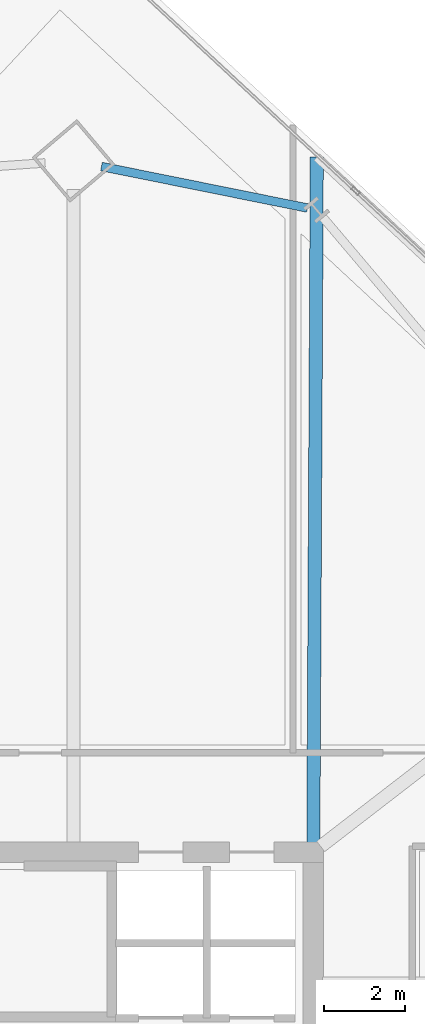
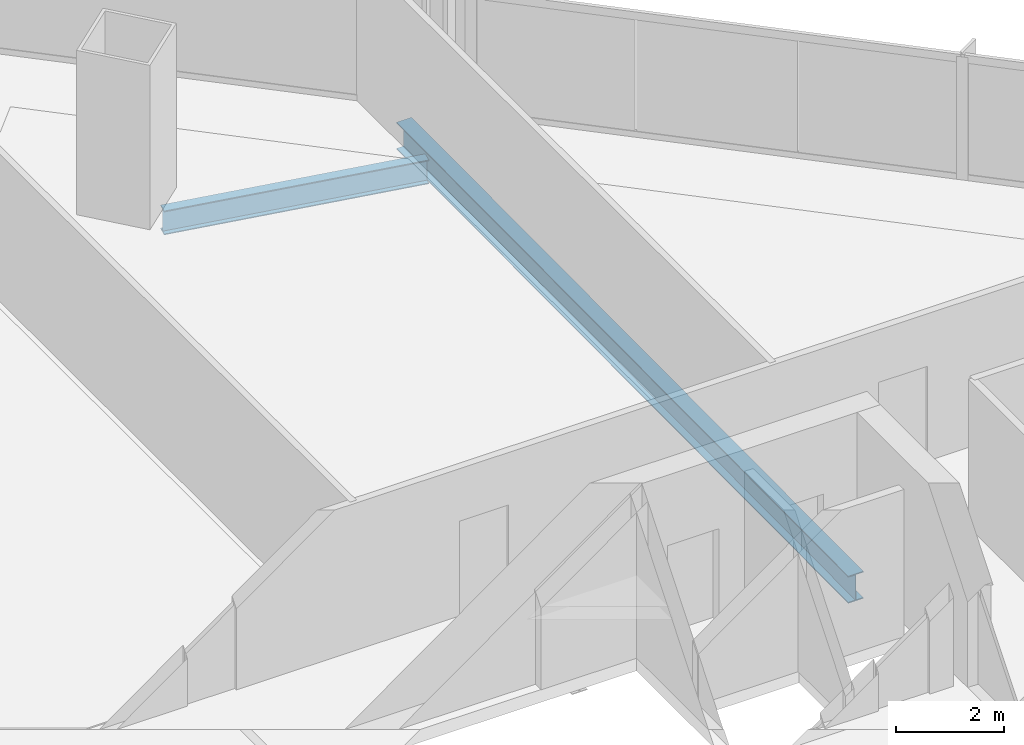
# One storey, part 20 of 32: 2 beams.
"""IFC4 building model written with IfcOpenShell, lengths in metres."""

from ifc_helpers import new_model, si_unit, direction, frame, origin, origin_2d, place, context, subcontext, project, spatial, i_section, extrude, material, material_profile, profile_set, type_object, element, save


model = new_model("IFC4")

# Units and contexts
model_context = context("Model", 3, precision=1e-05, world=origin(), true_north=direction((0.0, 1.0)))
body_context = subcontext(model_context, "Body", "Model", "MODEL_VIEW")
ifc_project = project(units=[si_unit("LENGTHUNIT", "METRE"), si_unit("AREAUNIT", "SQUARE_METRE"), si_unit("VOLUMEUNIT", "CUBIC_METRE"), si_unit("PLANEANGLEUNIT", "RADIAN"), si_unit("MASSUNIT", "GRAM", prefix="KILO")], contexts=[model_context])

# Site, building, storey
site_placement = place(None, origin())
site = spatial("IfcSite", under=ifc_project, at=site_placement, CompositionType="ELEMENT")
building_placement = place(site_placement, origin())
building = spatial("IfcBuilding", under=site, at=building_placement, Name="Haldenkirk Collegiate Tower", CompositionType="ELEMENT")
storey_placement = place(building_placement, frame((0.0, 0.0, 185.699951171875)))
storey = spatial("IfcBuildingStorey", under=building, at=storey_placement, Name="L46", CompositionType="ELEMENT", Elevation=185.699951171875)

# Beams
ifc_material = material(Name="Steel ASTM A992 Grade 50", Category="steel")
ifc_material_profile_1 = material_profile(ifc_material, i_section(OverallWidth=0.324951171875, OverallDepth=0.615966796875, WebThickness=0.013916015625, FlangeThickness=0.021484375, at=origin_2d()), Name="W24X117")
ifc_profile_set_1 = profile_set([ifc_material_profile_1], Name="Steel ASTM A992 Grade 50")
beam_type_1 = type_object("IfcBeamType", Name="BM-GIRDER-W24X117", PredefinedType="BEAM", material=ifc_profile_set_1)
beam_1_placement = place(storey_placement, frame((45.08642578125, 51.16650390625, -0.597900390625), z_axis=(-0.005030784518, -0.999987345523, 0.0), x_axis=(0.999987345523, -0.005030784518, 0.0)))
element("IfcBeam", 1, at=beam_1_placement, inside=storey, type_object=beam_type_1, Name="L46 primary floor girder 10", PredefinedType="BEAM", context=body_context, shape_type="SweptSolid", body=[
    extrude(i_section(OverallWidth=0.324951171875, OverallDepth=0.615966796875, WebThickness=0.013916015625, FlangeThickness=0.021484375, at=origin_2d()), origin(), (0.0, 0.0, 1.0), 16.936767578125),
])
ifc_material_profile_2 = material_profile(ifc_material, i_section(OverallWidth=0.2119140625, OverallDepth=0.5439453125, WebThickness=0.01318359375, FlangeThickness=0.021240234375, at=origin_2d()), Name="W21X83")
ifc_profile_set_2 = profile_set([ifc_material_profile_2], Name="Steel ASTM A992 Grade 50")
beam_type_2 = type_object("IfcBeamType", Name="BM-SPANDREL-W21X83", PredefinedType="SPANDREL", material=ifc_profile_set_2)
beam_2_placement = place(storey_placement, frame((44.85546875, 49.910400390625, -0.56201171875), z_axis=(-0.980286465062, 0.197581493102, 0.0), x_axis=(-0.197581493102, -0.980286465062, 0.0)))
element("IfcBeam", 2, at=beam_2_placement, inside=storey, type_object=beam_type_2, Name="L46 perimeter spandrel beam 08", PredefinedType="SPANDREL", context=body_context, shape_type="SweptSolid", body=[
    extrude(i_section(OverallWidth=0.2119140625, OverallDepth=0.5439453125, WebThickness=0.01318359375, FlangeThickness=0.021240234375, at=origin_2d()), origin(), (0.0, 0.0, 1.0), 5.189697265625),
])

save(model, "model.ifc")
